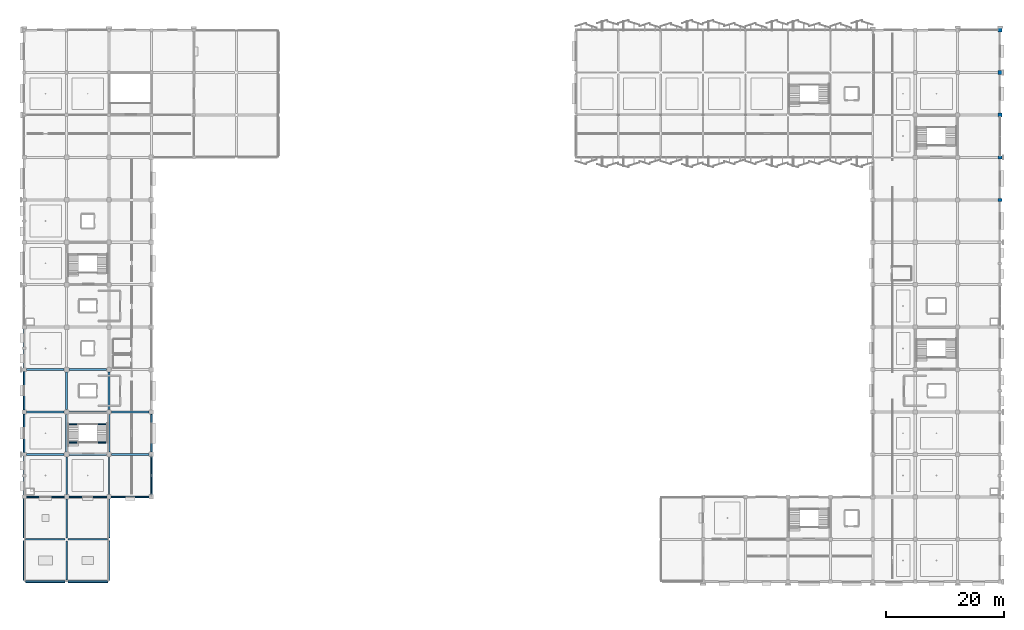
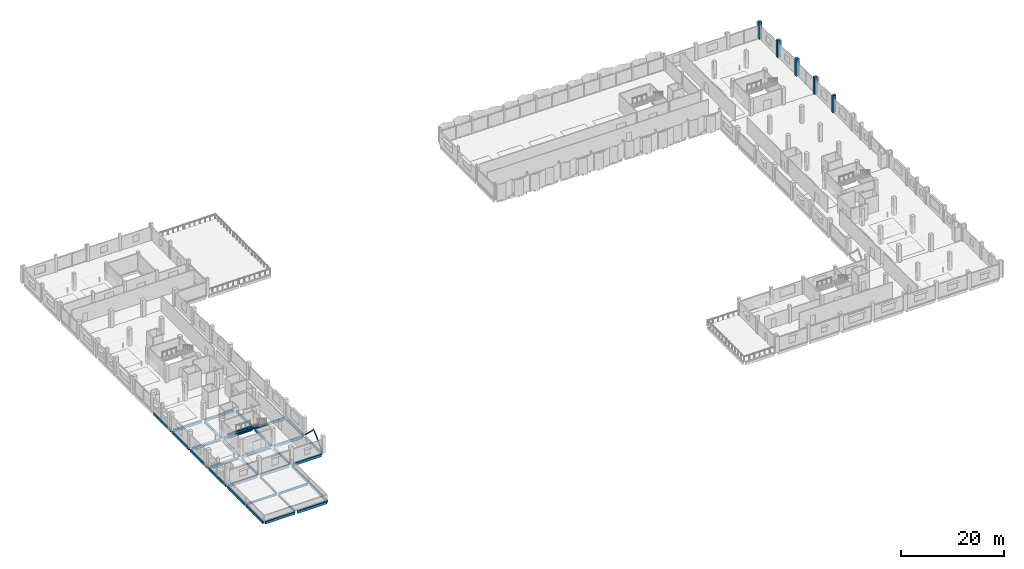
# One storey, part 7 of 91: 35 beams, 5 columns, 2 members.
"""IFC4 building model written with IfcOpenShell, lengths in metres."""

from ifc_helpers import new_model, si_unit, direction, frame, origin, origin_2d, place, context, subcontext, project, spatial, rectangle, hollow_circle, i_section, extrude, material, material_profile, profile_set, type_object, element, save


model = new_model("IFC4")

# Units and contexts
model_context = context("Model", 3, precision=1e-05, world=origin(), true_north=direction((0.0, 1.0)))
body_context = subcontext(model_context, "Body", "Model", "MODEL_VIEW")
ifc_project = project(units=[si_unit("LENGTHUNIT", "METRE"), si_unit("AREAUNIT", "SQUARE_METRE"), si_unit("VOLUMEUNIT", "CUBIC_METRE"), si_unit("PLANEANGLEUNIT", "RADIAN"), si_unit("MASSUNIT", "GRAM", prefix="KILO")], contexts=[model_context])

# Site, building, storey
site_placement = place(None, origin())
site = spatial("IfcSite", under=ifc_project, at=site_placement, CompositionType="ELEMENT")
building_placement = place(site_placement, origin())
building = spatial("IfcBuilding", under=site, at=building_placement, Name="Kangsadwip Square Police Headquarters", CompositionType="ELEMENT")
storey_placement = place(building_placement, frame((0.0, 0.0, 13.5)))
storey = spatial("IfcBuildingStorey", under=building, at=storey_placement, Name="L03", CompositionType="ELEMENT", Elevation=13.5)

# Columns
ifc_material_1 = material(Name="Concrete M40 (40 MPa)", Category="concrete")
ifc_material_profile_1 = material_profile(ifc_material_1, rectangle(XDim=0.64990234375, YDim=0.64990234375, at=origin_2d()), Name="RC COL 650X650")
ifc_profile_set_1 = profile_set([ifc_material_profile_1], Name="Concrete M40 (40 MPa)")
column_type_1 = type_object("IfcColumnType", Name="RcCol650x650", PredefinedType="COLUMN", material=ifc_profile_set_1)
for number, where, z_axis, x_axis, name in (
    (1, (165.60009765625, 108.0, 0.0), (0.0, 0.0, 1.0), (1.0, 0.0, 0.0), "Column COL-L03-23-15"),
    (2, (165.60009765625, 115.199951171875, 0.0), (0.0, 0.0, 1.0), (1.0, 0.0, 0.0), "Column COL-L03-23-16"),
):
    element("IfcColumn", number, at=place(storey_placement, frame(where, z_axis=z_axis, x_axis=x_axis)), inside=storey, type_object=column_type_1, Name=name, PredefinedType="COLUMN", context=body_context, shape_type="SweptSolid", body=[
        extrude(rectangle(XDim=0.64990234375, YDim=0.64990234375, at=origin_2d()), origin(), (0.0, 0.0, 1.0), 4.050048828125),
    ])
ifc_material_2 = material(Name="Concrete M35 (35 MPa)", Category="concrete")
ifc_material_profile_2 = material_profile(ifc_material_2, rectangle(XDim=0.5, YDim=0.699951171875, at=origin_2d()), Name="RC COL 700X500")
ifc_profile_set_2 = profile_set([ifc_material_profile_2], Name="Concrete M35 (35 MPa)")
column_type_2 = type_object("IfcColumnType", Name="RcCol700x500", PredefinedType="COLUMN", material=ifc_profile_set_2)
for number, where, z_axis, x_axis, name in (
    (3, (165.60009765625, 86.39990234375, 0.0), (0.0, 0.0, 1.0), (0.0, 1.0, 0.0), "Column COL-L03-23-12"),
    (4, (165.60009765625, 93.60009765625, 0.0), (0.0, 0.0, 1.0), (0.0, 1.0, 0.0), "Column COL-L03-23-13"),
):
    element("IfcColumn", number, at=place(storey_placement, frame(where, z_axis=z_axis, x_axis=x_axis)), inside=storey, type_object=column_type_2, Name=name, PredefinedType="COLUMN", context=body_context, shape_type="SweptSolid", body=[
        extrude(rectangle(XDim=0.5, YDim=0.699951171875, at=origin_2d()), origin(), (0.0, 0.0, 1.0), 4.050048828125),
    ])
ifc_material_3 = material(Name="Concrete M40 (40 MPa)", Category="concrete")
ifc_material_profile_3 = material_profile(ifc_material_3, rectangle(XDim=0.699951171875, YDim=0.699951171875, at=origin_2d()), Name="RC COL 700X700")
ifc_profile_set_3 = profile_set([ifc_material_profile_3], Name="Concrete M40 (40 MPa)")
column_type_3 = type_object("IfcColumnType", Name="RcCol700x700", PredefinedType="COLUMN", material=ifc_profile_set_3)
column_placement = place(storey_placement, frame((165.60009765625, 100.800048828125, 0.0), z_axis=(0.0, 0.0, 1.0), x_axis=(1.0, 0.0, 0.0)))
element("IfcColumn", 5, at=column_placement, inside=storey, type_object=column_type_3, Name="Column COL-L03-23-14", PredefinedType="COLUMN", context=body_context, shape_type="SweptSolid", body=[
    extrude(rectangle(XDim=0.699951171875, YDim=0.699951171875, at=origin_2d()), origin(), (0.0, 0.0, 1.0), 4.050048828125),
])

# Beams
ifc_material_4 = material(Name="Structural steel IS 2062 E350 (Grade 350, 350 MPa)", Category="steel")
ifc_material_profile_4 = material_profile(ifc_material_4, i_section(OverallWidth=0.25, OverallDepth=0.5, WebThickness=0.010009765625, FlangeThickness=0.0146484375, at=origin_2d()), Name="ISWB 500")
ifc_profile_set_4 = profile_set([ifc_material_profile_4], Name="Structural steel IS 2062 E350 (Grade 350, 350 MPa)")
beam_type_1 = type_object("IfcBeamType", Name="LinkBridgeBeamIswb500", PredefinedType="BEAM", material=ifc_profile_set_4)
for number, where, z_axis, x_axis, name in (
    (6, (0.27490234375, 28.800048828125, -0.489990234375), (1.0, 0.0, 0.0), (0.0, 1.0, 0.0), "Link Bridge Girder BM-L03-X-00-04"),
    (7, (7.449951171875, 28.800048828125, -0.489990234375), (1.0, 0.0, 0.0), (0.0, 1.0, 0.0), "Link Bridge Girder BM-L03-X-01-04"),
    (8, (7.199951171875, 21.875, -0.489990234375), (0.0, 1.0, 0.0), (-1.0, 0.0, 0.0), "Beam BM-L03-Y-01-03"),
):
    element("IfcBeam", number, at=place(storey_placement, frame(where, z_axis=z_axis, x_axis=x_axis)), inside=storey, type_object=beam_type_1, Name=name, PredefinedType="BEAM", context=body_context, shape_type="SweptSolid", body=[
        extrude(i_section(OverallWidth=0.25, OverallDepth=0.5, WebThickness=0.010009765625, FlangeThickness=0.0146484375, at=origin_2d()), origin(), (0.0, 0.0, 1.0), 6.675048828125),
    ])
beam_1_placement = place(storey_placement, frame((7.199951171875, 29.050048828125, -0.489990234375), z_axis=(0.0, 1.0, 0.0), x_axis=(-1.0, 0.0, 0.0)))
element("IfcBeam", 9, at=beam_1_placement, inside=storey, type_object=beam_type_1, Name="Beam BM-L03-Y-01-04", PredefinedType="BEAM", context=body_context, shape_type="SweptSolid", body=[
    extrude(i_section(OverallWidth=0.25, OverallDepth=0.5, WebThickness=0.010009765625, FlangeThickness=0.0146484375, at=origin_2d()), origin(), (0.0, 0.0, 1.0), 6.550048828125),
])
for number, where, z_axis, x_axis, name in (
    (10, (7.199951171875, 36.39990234375, -0.489990234375), (0.0, 1.0, 0.0), (-1.0, 0.0, 0.0), "Beam BM-L03-Y-01-05"),
    (11, (14.39990234375, 36.39990234375, -0.489990234375), (0.0, 1.0, 0.0), (-1.0, 0.0, 0.0), "Beam BM-L03-Y-02-05"),
):
    element("IfcBeam", number, at=place(storey_placement, frame(where, z_axis=z_axis, x_axis=x_axis)), inside=storey, type_object=beam_type_1, Name=name, PredefinedType="BEAM", context=body_context, shape_type="SweptSolid", body=[
        extrude(i_section(OverallWidth=0.25, OverallDepth=0.5, WebThickness=0.010009765625, FlangeThickness=0.0146484375, at=origin_2d()), origin(), (0.0, 0.0, 1.0), 6.400146484375),
    ])
ifc_material_5 = material(Name="Concrete M35 (35 MPa)", Category="concrete")
ifc_material_profile_5 = material_profile(ifc_material_5, rectangle(XDim=0.35009765625, YDim=0.60009765625, at=origin_2d()), Name="RC BM 600X350")
ifc_profile_set_5 = profile_set([ifc_material_profile_5], Name="Concrete M35 (35 MPa)")
beam_type_2 = type_object("IfcBeamType", Name="RcBeam600x350", PredefinedType="BEAM", material=ifc_profile_set_5)
beam_2_placement = place(storey_placement, frame((0.39990234375, 43.199951171875, -0.5400390625), z_axis=(1.0, 0.0, 0.0), x_axis=(0.0, 1.0, 0.0)))
element("IfcBeam", 12, at=beam_2_placement, inside=storey, type_object=beam_type_2, Name="Beam BM-L03-X-00-06", PredefinedType="BEAM", context=body_context, shape_type="SweptSolid", body=[
    extrude(rectangle(XDim=0.35009765625, YDim=0.60009765625, at=origin_2d()), origin(), (0.0, 0.0, 1.0), 6.400146484375),
])
for number, where, z_axis, x_axis, name in (
    (13, (7.60009765625, 43.199951171875, -0.5400390625), (1.0, 0.0, 0.0), (0.0, 1.0, 0.0), "Beam BM-L03-X-01-06"),
    (14, (14.800048828125, 43.199951171875, -0.5400390625), (1.0, 0.0, 0.0), (0.0, 1.0, 0.0), "Beam BM-L03-X-02-06"),
):
    element("IfcBeam", number, at=place(storey_placement, frame(where, z_axis=z_axis, x_axis=x_axis)), inside=storey, type_object=beam_type_2, Name=name, PredefinedType="BEAM", context=body_context, shape_type="SweptSolid", body=[
        extrude(rectangle(XDim=0.35009765625, YDim=0.60009765625, at=origin_2d()), origin(), (0.0, 0.0, 1.0), 6.39990234375),
    ])
beam_3_placement = place(storey_placement, frame((0.39990234375, 50.39990234375, -0.5400390625), z_axis=(1.0, 0.0, 0.0), x_axis=(0.0, 1.0, 0.0)))
element("IfcBeam", 15, at=beam_3_placement, inside=storey, type_object=beam_type_2, Name="Beam BM-L03-X-00-07", PredefinedType="BEAM", context=body_context, shape_type="SweptSolid", body=[
    extrude(rectangle(XDim=0.35009765625, YDim=0.60009765625, at=origin_2d()), origin(), (0.0, 0.0, 1.0), 6.400146484375),
])
for number, where, z_axis, x_axis, name in (
    (16, (7.60009765625, 50.39990234375, -0.5400390625), (1.0, 0.0, 0.0), (0.0, 1.0, 0.0), "Beam BM-L03-X-01-07"),
    (17, (14.800048828125, 50.39990234375, -0.5400390625), (1.0, 0.0, 0.0), (0.0, 1.0, 0.0), "Beam BM-L03-X-02-07"),
):
    element("IfcBeam", number, at=place(storey_placement, frame(where, z_axis=z_axis, x_axis=x_axis)), inside=storey, type_object=beam_type_2, Name=name, PredefinedType="BEAM", context=body_context, shape_type="SweptSolid", body=[
        extrude(rectangle(XDim=0.35009765625, YDim=0.60009765625, at=origin_2d()), origin(), (0.0, 0.0, 1.0), 6.39990234375),
    ])
beam_4_placement = place(storey_placement, frame((0.39990234375, 57.60009765625, -0.5400390625), z_axis=(1.0, 0.0, 0.0), x_axis=(0.0, 1.0, 0.0)))
element("IfcBeam", 18, at=beam_4_placement, inside=storey, type_object=beam_type_2, Name="Beam BM-L03-X-00-08", PredefinedType="BEAM", context=body_context, shape_type="SweptSolid", body=[
    extrude(rectangle(XDim=0.35009765625, YDim=0.60009765625, at=origin_2d()), origin(), (0.0, 0.0, 1.0), 6.400146484375),
])
for number, where, z_axis, x_axis, name in (
    (19, (7.60009765625, 57.60009765625, -0.5400390625), (1.0, 0.0, 0.0), (0.0, 1.0, 0.0), "Beam BM-L03-X-01-08"),
    (20, (7.199951171875, 43.60009765625, -0.5400390625), (0.0, 1.0, 0.0), (-1.0, 0.0, 0.0), "Beam BM-L03-Y-01-06"),
    (21, (7.199951171875, 50.800048828125, -0.5400390625), (0.0, 1.0, 0.0), (-1.0, 0.0, 0.0), "Beam BM-L03-Y-01-07"),
    (22, (14.39990234375, 43.60009765625, -0.5400390625), (0.0, 1.0, 0.0), (-1.0, 0.0, 0.0), "Beam BM-L03-Y-02-06"),
    (23, (14.39990234375, 50.800048828125, -0.5400390625), (0.0, 1.0, 0.0), (-1.0, 0.0, 0.0), "Beam BM-L03-Y-02-07"),
):
    element("IfcBeam", number, at=place(storey_placement, frame(where, z_axis=z_axis, x_axis=x_axis)), inside=storey, type_object=beam_type_2, Name=name, PredefinedType="BEAM", context=body_context, shape_type="SweptSolid", body=[
        extrude(rectangle(XDim=0.35009765625, YDim=0.60009765625, at=origin_2d()), origin(), (0.0, 0.0, 1.0), 6.39990234375),
    ])
ifc_material_6 = material(Name="Concrete M30 (30 MPa)", Category="concrete")
ifc_material_profile_6 = material_profile(ifc_material_6, rectangle(XDim=0.199951171875, YDim=0.25, at=origin_2d()), Name="RC LNT 250X200")
ifc_profile_set_6 = profile_set([ifc_material_profile_6], Name="Concrete M30 (30 MPa)")
beam_type_3 = type_object("IfcBeamType", Name="RcLintel250x200", PredefinedType="LINTEL", material=ifc_profile_set_6)
for number, where, z_axis, x_axis, name in (
    (24, (7.300048828125, 48.340087890625, 1.801025390625), (1.0, 0.0, 0.0), (0.0, 1.0, 0.0), "Stair Carriage and Landing Beam BM-ST-L03-010"),
    (25, (7.300048828125, 45.219970703125, 3.68505859375), (1.0, 0.0, 0.0), (0.0, 1.0, 0.0), "Stair Carriage and Landing Beam BM-ST-L03-011"),
):
    element("IfcBeam", number, at=place(storey_placement, frame(where, z_axis=z_axis, x_axis=x_axis)), inside=storey, type_object=beam_type_3, Name=name, PredefinedType="BEAM", context=body_context, shape_type="SweptSolid", body=[
        extrude(rectangle(XDim=0.199951171875, YDim=0.25, at=origin_2d()), origin(), (0.0, 0.0, 1.0), 7.0),
    ])
ifc_material_7 = material(Name="Concrete M40 (40 MPa)", Category="concrete")
ifc_material_profile_7 = material_profile(ifc_material_7, rectangle(XDim=0.280029296875, YDim=0.60009765625, at=origin_2d()), Name="RC SPN 600X280")
ifc_profile_set_7 = profile_set([ifc_material_profile_7], Name="Concrete M40 (40 MPa)")
beam_type_4 = type_object("IfcBeamType", Name="RcSpandrel600x280", PredefinedType="SPANDREL", material=ifc_profile_set_7)
beam_5_placement = place(storey_placement, frame((0.25, 21.60009765625, -0.5400390625), z_axis=(1.0, 0.0, 0.0), x_axis=(0.0, 1.0, 0.0)))
element("IfcBeam", 26, at=beam_5_placement, inside=storey, type_object=beam_type_4, Name="Beam BM-L03-X-00-03", PredefinedType="SPANDREL", context=body_context, shape_type="SweptSolid", body=[
    extrude(rectangle(XDim=0.280029296875, YDim=0.60009765625, at=origin_2d()), origin(), (0.0, 0.0, 1.0), 6.675048828125),
])
beam_6_placement = place(storey_placement, frame((7.47509765625, 21.60009765625, -0.5400390625), z_axis=(1.0, 0.0, 0.0), x_axis=(0.0, 1.0, 0.0)))
element("IfcBeam", 27, at=beam_6_placement, inside=storey, type_object=beam_type_4, Name="Beam BM-L03-X-01-03", PredefinedType="SPANDREL", context=body_context, shape_type="SweptSolid", body=[
    extrude(rectangle(XDim=0.280029296875, YDim=0.60009765625, at=origin_2d()), origin(), (0.0, 0.0, 1.0), 6.6748046875),
])
beam_7_placement = place(storey_placement, frame((0.39990234375, 36.0, -0.5400390625), z_axis=(1.0, 0.0, 0.0), x_axis=(0.0, 1.0, 0.0)))
element("IfcBeam", 28, at=beam_7_placement, inside=storey, type_object=beam_type_4, Name="Beam BM-L03-X-00-05", PredefinedType="SPANDREL", context=body_context, shape_type="SweptSolid", body=[
    extrude(rectangle(XDim=0.280029296875, YDim=0.60009765625, at=origin_2d()), origin(), (0.0, 0.0, 1.0), 6.400146484375),
])
beam_8_placement = place(storey_placement, frame((7.60009765625, 36.0, -0.5400390625), z_axis=(1.0, 0.0, 0.0), x_axis=(0.0, 1.0, 0.0)))
element("IfcBeam", 29, at=beam_8_placement, inside=storey, type_object=beam_type_4, Name="Beam BM-L03-X-01-05", PredefinedType="SPANDREL", context=body_context, shape_type="SweptSolid", body=[
    extrude(rectangle(XDim=0.280029296875, YDim=0.60009765625, at=origin_2d()), origin(), (0.0, 0.0, 1.0), 6.39990234375),
])
beam_9_placement = place(storey_placement, frame((0.0, 21.85009765625, -0.5400390625), z_axis=(0.0, 1.0, 0.0), x_axis=(-1.0, 0.0, 0.0)))
element("IfcBeam", 30, at=beam_9_placement, inside=storey, type_object=beam_type_4, Name="Beam BM-L03-Y-00-03", PredefinedType="SPANDREL", context=body_context, shape_type="SweptSolid", body=[
    extrude(rectangle(XDim=0.280029296875, YDim=0.60009765625, at=origin_2d()), origin(), (0.0, 0.0, 1.0), 6.6748046875),
])
beam_10_placement = place(storey_placement, frame((0.0, 29.074951171875, -0.5400390625), z_axis=(0.0, 1.0, 0.0), x_axis=(-1.0, 0.0, 0.0)))
element("IfcBeam", 31, at=beam_10_placement, inside=storey, type_object=beam_type_4, Name="Beam BM-L03-Y-00-04", PredefinedType="SPANDREL", context=body_context, shape_type="SweptSolid", body=[
    extrude(rectangle(XDim=0.280029296875, YDim=0.60009765625, at=origin_2d()), origin(), (0.0, 0.0, 1.0), 6.625),
])
beam_11_placement = place(storey_placement, frame((14.39990234375, 21.85009765625, -0.5400390625), z_axis=(0.0, 1.0, 0.0), x_axis=(-1.0, 0.0, 0.0)))
element("IfcBeam", 32, at=beam_11_placement, inside=storey, type_object=beam_type_4, Name="Beam BM-L03-Y-02-03", PredefinedType="SPANDREL", context=body_context, shape_type="SweptSolid", body=[
    extrude(rectangle(XDim=0.280029296875, YDim=0.60009765625, at=origin_2d()), origin(), (0.0, 0.0, 1.0), 6.6748046875),
])
beam_12_placement = place(storey_placement, frame((14.39990234375, 29.074951171875, -0.5400390625), z_axis=(0.0, 1.0, 0.0), x_axis=(-1.0, 0.0, 0.0)))
element("IfcBeam", 33, at=beam_12_placement, inside=storey, type_object=beam_type_4, Name="Beam BM-L03-Y-02-04", PredefinedType="SPANDREL", context=body_context, shape_type="SweptSolid", body=[
    extrude(rectangle(XDim=0.280029296875, YDim=0.60009765625, at=origin_2d()), origin(), (0.0, 0.0, 1.0), 6.525146484375),
])
beam_13_placement = place(storey_placement, frame((14.800048828125, 36.0, -0.5400390625), z_axis=(1.0, 0.0, 0.0), x_axis=(0.0, 1.0, 0.0)))
element("IfcBeam", 34, at=beam_13_placement, inside=storey, type_object=beam_type_4, Name="Beam BM-L03-X-02-05", PredefinedType="SPANDREL", context=body_context, shape_type="SweptSolid", body=[
    extrude(rectangle(XDim=0.280029296875, YDim=0.60009765625, at=origin_2d()), origin(), (0.0, 0.0, 1.0), 6.39990234375),
])
beam_14_placement = place(storey_placement, frame((0.0, 36.300048828125, -0.5400390625), z_axis=(0.0, 1.0, 0.0), x_axis=(-1.0, 0.0, 0.0)))
element("IfcBeam", 35, at=beam_14_placement, inside=storey, type_object=beam_type_4, Name="Beam BM-L03-Y-00-05", PredefinedType="SPANDREL", context=body_context, shape_type="SweptSolid", body=[
    extrude(rectangle(XDim=0.280029296875, YDim=0.60009765625, at=origin_2d()), origin(), (0.0, 0.0, 1.0), 6.599853515625),
])
for number, where, z_axis, x_axis, name in (
    (36, (0.0, 43.5, -0.5400390625), (0.0, 1.0, 0.0), (-1.0, 0.0, 0.0), "Beam BM-L03-Y-00-06"),
    (37, (0.0, 50.699951171875, -0.5400390625), (0.0, 1.0, 0.0), (-1.0, 0.0, 0.0), "Beam BM-L03-Y-00-07"),
    (38, (0.0, 57.89990234375, -0.5400390625), (0.0, 1.0, 0.0), (-1.0, 0.0, 0.0), "Beam BM-L03-Y-00-08"),
):
    element("IfcBeam", number, at=place(storey_placement, frame(where, z_axis=z_axis, x_axis=x_axis)), inside=storey, type_object=beam_type_4, Name=name, PredefinedType="SPANDREL", context=body_context, shape_type="SweptSolid", body=[
        extrude(rectangle(XDim=0.280029296875, YDim=0.60009765625, at=origin_2d()), origin(), (0.0, 0.0, 1.0), 6.60009765625),
    ])
beam_15_placement = place(storey_placement, frame((21.60009765625, 36.39990234375, -0.5400390625), z_axis=(0.0, 1.0, 0.0), x_axis=(-1.0, 0.0, 0.0)))
element("IfcBeam", 39, at=beam_15_placement, inside=storey, type_object=beam_type_4, Name="Beam BM-L03-Y-03-05", PredefinedType="SPANDREL", context=body_context, shape_type="SweptSolid", body=[
    extrude(rectangle(XDim=0.280029296875, YDim=0.60009765625, at=origin_2d()), origin(), (0.0, 0.0, 1.0), 6.400146484375),
])
beam_16_placement = place(storey_placement, frame((21.60009765625, 43.60009765625, -0.5400390625), z_axis=(0.0, 1.0, 0.0), x_axis=(-1.0, 0.0, 0.0)))
element("IfcBeam", 40, at=beam_16_placement, inside=storey, type_object=beam_type_4, Name="Beam BM-L03-Y-03-06", PredefinedType="SPANDREL", context=body_context, shape_type="SweptSolid", body=[
    extrude(rectangle(XDim=0.280029296875, YDim=0.60009765625, at=origin_2d()), origin(), (0.0, 0.0, 1.0), 6.39990234375),
])

# Members
ifc_material_8 = material(Name="Structural steel IS 2062 E350 (Grade 350, 350 MPa)", Category="steel")
ifc_material_profile_8 = material_profile(ifc_material_8, hollow_circle(Radius=0.136474609375, WallThickness=0.010009765625, at=origin_2d()), Name="CHS 273X10")
ifc_profile_set_8 = profile_set([ifc_material_profile_8], Name="Structural steel IS 2062 E350 (Grade 350, 350 MPa)")
member_type = type_object("IfcMemberType", Name="TrussBraceChs273", PredefinedType="BRACE", material=ifc_profile_set_8)
member_1_placement = place(storey_placement, frame((21.60009765625, 36.300048828125, 0.0), z_axis=(0.0, 0.716823350173, 0.697254820454), x_axis=(-1.0, 0.0, 0.0)))
element("IfcMember", 41, at=member_1_placement, inside=storey, type_object=member_type, Name="Truss Member MEM-L03-0276", PredefinedType="BRACE", context=body_context, shape_type="SweptSolid", body=[
    extrude(hollow_circle(Radius=0.136474609375, WallThickness=0.010009765625, at=origin_2d()), origin(), (0.0, 0.0, 1.0), 4.603759765625),
])
member_2_placement = place(storey_placement, frame((21.60009765625, 42.89990234375, 0.0), z_axis=(0.0, -0.716797566805, 0.697281326454), x_axis=(1.0, 0.0, 0.0)))
element("IfcMember", 42, at=member_2_placement, inside=storey, type_object=member_type, Name="Truss Member MEM-L03-0277", PredefinedType="BRACE", context=body_context, shape_type="SweptSolid", body=[
    extrude(hollow_circle(Radius=0.136474609375, WallThickness=0.010009765625, at=origin_2d()), origin(), (0.0, 0.0, 1.0), 4.603515625),
])

save(model, "model.ifc")
